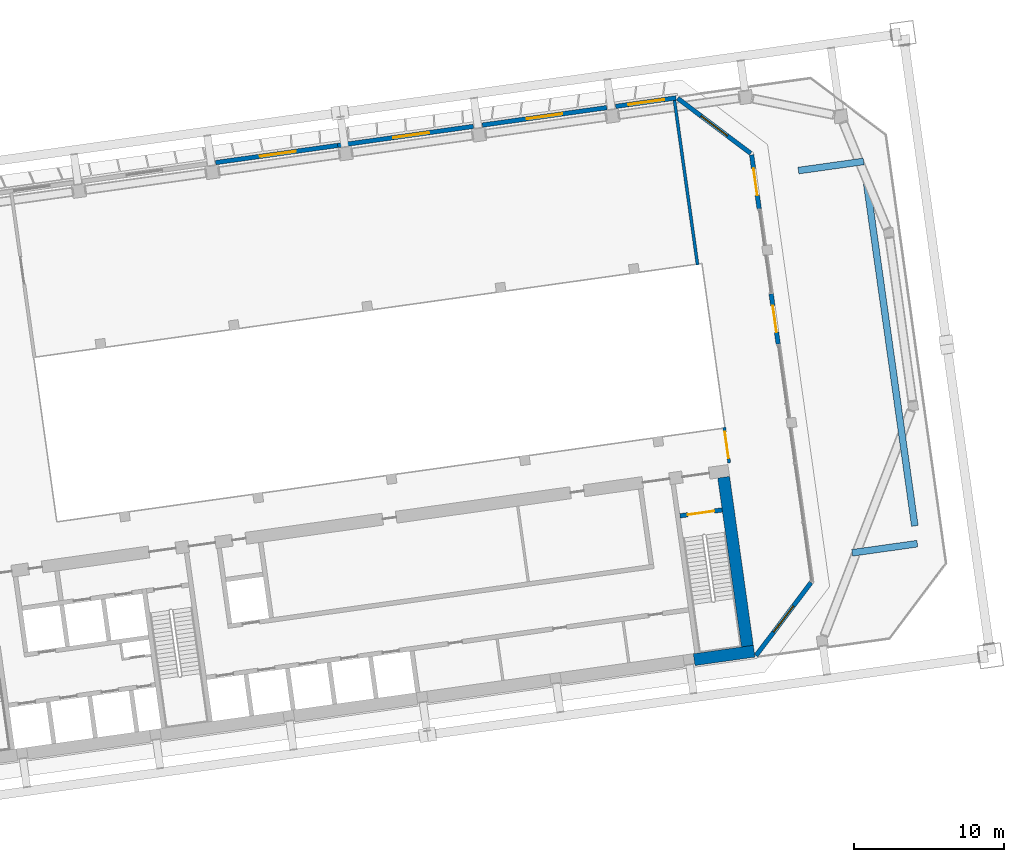
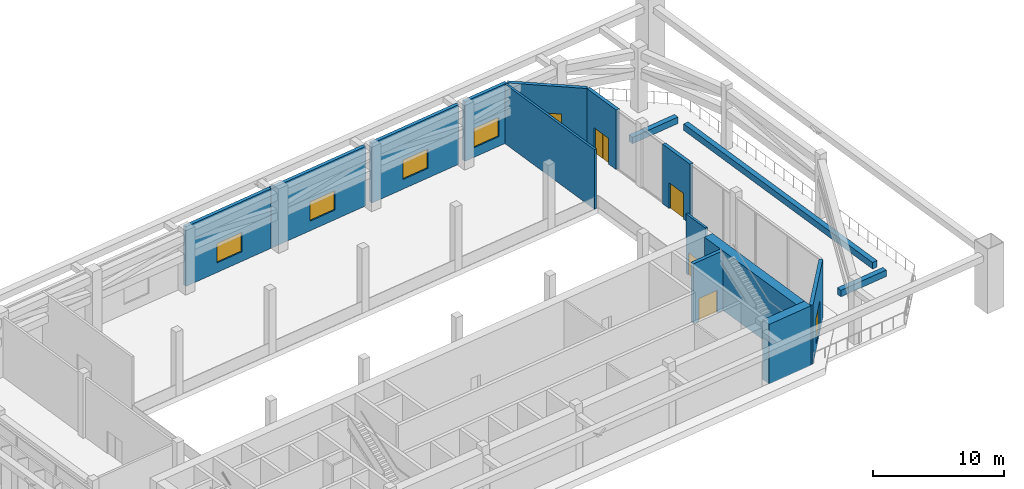
# One storey, part 25 of 41: 16 walls, 6 windows, 4 doors, 10 openings.
"""IFC4 building model written with IfcOpenShell, lengths in metres."""

from ifc_helpers import new_model, si_unit, direction, frame, frame_2d, origin, place, context, subcontext, project, spatial, rectangle, extrude, material, layer, layer_set, type_object, element, fill, save


model = new_model("IFC4")

# Units and contexts
model_context = context("Model", 3, precision=1e-05, world=origin(), true_north=direction((0.0, 1.0)))
body_context = subcontext(model_context, "Body", "Model", "MODEL_VIEW")
ifc_project = project(units=[si_unit("LENGTHUNIT", "METRE"), si_unit("AREAUNIT", "SQUARE_METRE"), si_unit("VOLUMEUNIT", "CUBIC_METRE"), si_unit("PLANEANGLEUNIT", "RADIAN"), si_unit("MASSUNIT", "GRAM", prefix="KILO")], contexts=[model_context])

# Site, building, storey
site_placement = place(None, origin())
site = spatial("IfcSite", under=ifc_project, at=site_placement, CompositionType="ELEMENT")
building_placement = place(site_placement, origin())
building = spatial("IfcBuilding", under=site, at=building_placement, Name="Mirante Cascada Hotel Towers", CompositionType="ELEMENT")
storey_placement = place(building_placement, frame((0.0, 0.0, 92.7)))
storey = spatial("IfcBuildingStorey", under=building, at=storey_placement, Name="L20", CompositionType="ELEMENT", Elevation=92.7)

# Walls
ifc_material_1 = material(Name="Precast concrete C40/50", Category="concrete")
ifc_layer_1 = layer(ifc_material_1, 0.45)
ifc_layer_set_1 = layer_set([ifc_layer_1], Name="Planter wall 450 concrete C40/50")
wall_type_1 = type_object("IfcWallType", Name="Planter wall 450 concrete C40/50", PredefinedType="PARAPET", material=ifc_layer_set_1)
for number, where, z_axis, x_axis, name in (
    (1, (96.955, -5.6169, 0.0), (0.0, 0.0, 1.0), (0.990267, 0.139181, 0.0), "PLANTER T2 L20 bed 1"),
    (2, (93.3643, 19.932, 0.0), (0.0, 0.0, 1.0), (0.990267, 0.139181, 0.0), "PLANTER T2 L20 bed 2"),
):
    element("IfcWall", number, at=place(storey_placement, frame(where, z_axis=z_axis, x_axis=x_axis)), inside=storey, type_object=wall_type_1, Name=name, PredefinedType="PARAPET", context=body_context, shape_type="SweptSolid", body=[
        extrude(rectangle(XDim=4.4, YDim=0.45, at=frame_2d((2.2, 0.0))), origin(), (0.0, 0.0, 1.0), 0.6),
    ])
wall_1_placement = place(storey_placement, frame((101.1451, -3.8162, 0.0), z_axis=(0.0, 0.0, 1.0), x_axis=(-0.1391708, 0.9902684, 0.0)))
element("IfcWall", 3, at=wall_1_placement, inside=storey, type_object=wall_type_1, Name="PLANTER T2 L20 bed 3", PredefinedType="PARAPET", context=body_context, shape_type="SweptSolid", body=[
    extrude(rectangle(XDim=23.4, YDim=0.45, at=frame_2d((11.7, 0.0))), origin(), (0.0, 0.0, 1.0), 0.6),
])

# Wall, opening, window
ifc_material_2 = material(Name="Precast concrete C40/50", Category="concrete")
ifc_layer_2 = layer(ifc_material_2, 0.3)
ifc_layer_set_2 = layer_set([ifc_layer_2], Name="Precast concrete C40/50 cladding wall 300")
wall_type_2 = type_object("IfcWallType", Name="Precast concrete C40/50 cladding wall 300", PredefinedType="STANDARD", material=ifc_layer_set_2)
wall_2_placement = place(storey_placement, frame((54.4109, 20.466, 0.0), z_axis=(0.0, 0.0, 1.0), x_axis=(0.9902687, 0.1391684, 0.0)))
wall_2 = element("IfcWall", 4, at=wall_2_placement, inside=storey, type_object=wall_type_2, Name="Cladding pier wall T2 L20 front 4", PredefinedType="STANDARD", context=body_context, shape_type="SweptSolid", body=[
    extrude(rectangle(XDim=8.2411, YDim=0.3, at=frame_2d((4.1206, 0.0))), origin(), (0.0, 0.0, 1.0), 5.55),
])
opening_1_placement = place(wall_2_placement, frame((3.0, 0.0, 0.9)))
opening_1 = element("IfcOpeningElement", 5, at=opening_1_placement, cuts=wall_2, Name="Opening W2-20-04", PredefinedType="OPENING", context=body_context, shape_type="SweptSolid", body=[
    extrude(rectangle(XDim=2.4, YDim=1.8, at=frame_2d((1.2, 0.9))), frame((0.0, 0.15, 0.0), z_axis=(0.0, -1.0, 0.0), x_axis=(1.0, 0.0, 0.0)), (0.0, 0.0, 1.0), 0.3),
])
ifc_material_3 = material(Name="Aluminium frame with clear double glazing", Category="aluminium")
window_type_1 = type_object("IfcWindowType", Name="Punched window 2400x1800", PartitioningType="DOUBLE_PANEL_VERTICAL", PredefinedType="WINDOW", material=ifc_material_3)
window_1_placement = place(opening_1_placement, origin())
window_1 = element("IfcWindow", 6, at=window_1_placement, inside=storey, type_object=window_type_1, Name="Window W2-20-04", OverallHeight=1.8, OverallWidth=2.4, PartitioningType="SINGLE_PANEL", PredefinedType="WINDOW", context=body_context, shape_type="SweptSolid", body=[
    extrude(rectangle(XDim=2.4, YDim=1.8, at=frame_2d((1.2, 0.9))), frame((0.0, 0.03, 0.0), z_axis=(0.0, -1.0, 0.0), x_axis=(1.0, 0.0, 0.0)), (0.0, 0.0, 1.0), 0.06),
])
fill(opening_1, window_1)

wall_3_placement = place(storey_placement, frame((62.5718, 21.6129, 0.0), z_axis=(0.0, 0.0, 1.0), x_axis=(0.9902677, 0.1391755, 0.0)))
wall_3 = element("IfcWall", 7, at=wall_3_placement, inside=storey, type_object=wall_type_2, Name="Cladding pier wall T2 L20 front 5", PredefinedType="STANDARD", context=body_context, shape_type="SweptSolid", body=[
    extrude(rectangle(XDim=9.1589, YDim=0.3, at=frame_2d((4.5794, 0.0))), origin(), (0.0, 0.0, 1.0), 5.55),
])
opening_2_placement = place(wall_3_placement, frame((3.7589, 0.0, 0.9)))
opening_2 = element("IfcOpeningElement", 8, at=opening_2_placement, cuts=wall_3, Name="Opening W2-20-05", PredefinedType="OPENING", context=body_context, shape_type="SweptSolid", body=[
    extrude(rectangle(XDim=2.4, YDim=1.8, at=frame_2d((1.2, 0.9))), frame((0.0, 0.15, 0.0), z_axis=(0.0, -1.0, 0.0), x_axis=(1.0, 0.0, 0.0)), (0.0, 0.0, 1.0), 0.3),
])
window_2_placement = place(opening_2_placement, origin())
window_2 = element("IfcWindow", 9, at=window_2_placement, inside=storey, type_object=window_type_1, Name="Window W2-20-05", OverallHeight=1.8, OverallWidth=2.4, PartitioningType="SINGLE_PANEL", PredefinedType="WINDOW", context=body_context, shape_type="SweptSolid", body=[
    extrude(rectangle(XDim=2.4, YDim=1.8, at=frame_2d((1.2, 0.9))), frame((0.0, 0.03, 0.0), z_axis=(0.0, -1.0, 0.0), x_axis=(1.0, 0.0, 0.0)), (0.0, 0.0, 1.0), 0.06),
])
fill(opening_2, window_2)

wall_4_placement = place(storey_placement, frame((72.2357, 22.9711, 0.0), z_axis=(0.0, 0.0, 1.0), x_axis=(0.9902691, 0.139166, 0.0)))
wall_4 = element("IfcWall", 10, at=wall_4_placement, inside=storey, type_object=wall_type_2, Name="Cladding pier wall T2 L20 front 6", PredefinedType="STANDARD", context=body_context, shape_type="SweptSolid", body=[
    extrude(rectangle(XDim=8.4, YDim=0.3, at=frame_2d((4.2, 0.0))), origin(), (0.0, 0.0, 1.0), 5.55),
])
opening_3_placement = place(wall_4_placement, frame((3.0, 0.0, 0.9)))
opening_3 = element("IfcOpeningElement", 11, at=opening_3_placement, cuts=wall_4, Name="Opening W2-20-06", PredefinedType="OPENING", context=body_context, shape_type="SweptSolid", body=[
    extrude(rectangle(XDim=2.4, YDim=1.8, at=frame_2d((1.2, 0.9))), frame((0.0, 0.15, 0.0), z_axis=(0.0, -1.0, 0.0), x_axis=(1.0, 0.0, 0.0)), (0.0, 0.0, 1.0), 0.3),
])
window_3_placement = place(opening_3_placement, origin())
window_3 = element("IfcWindow", 12, at=window_3_placement, inside=storey, type_object=window_type_1, Name="Window W2-20-06", OverallHeight=1.8, OverallWidth=2.4, PartitioningType="SINGLE_PANEL", PredefinedType="WINDOW", context=body_context, shape_type="SweptSolid", body=[
    extrude(rectangle(XDim=2.4, YDim=1.8, at=frame_2d((1.2, 0.9))), frame((0.0, 0.03, 0.0), z_axis=(0.0, -1.0, 0.0), x_axis=(1.0, 0.0, 0.0)), (0.0, 0.0, 1.0), 0.06),
])
fill(opening_3, window_3)

wall_5_placement = place(storey_placement, frame((81.1481, 24.2237, 0.0), z_axis=(0.0, 0.0, 1.0), x_axis=(0.9902698, 0.1391609, 0.0)))
wall_5 = element("IfcWall", 13, at=wall_5_placement, inside=storey, type_object=wall_type_2, Name="Cladding pier wall T2 L20 front 7", PredefinedType="STANDARD", context=body_context, shape_type="SweptSolid", body=[
    extrude(rectangle(XDim=4.0759, YDim=0.3, at=frame_2d((2.038, 0.0))), origin(), (0.0, 0.0, 1.0), 5.55),
])
opening_4_placement = place(wall_5_placement, frame((0.8689, 0.0, 0.9)))
opening_4 = element("IfcOpeningElement", 14, at=opening_4_placement, cuts=wall_5, Name="Opening W2-20-07", PredefinedType="OPENING", context=body_context, shape_type="SweptSolid", body=[
    extrude(rectangle(XDim=2.4, YDim=1.8, at=frame_2d((1.2, 0.9))), frame((0.0, 0.15, 0.0), z_axis=(0.0, -1.0, 0.0), x_axis=(1.0, 0.0, 0.0)), (0.0, 0.0, 1.0), 0.3),
])
window_4_placement = place(opening_4_placement, origin())
window_4 = element("IfcWindow", 15, at=window_4_placement, inside=storey, type_object=window_type_1, Name="Window W2-20-07", OverallHeight=1.8, OverallWidth=2.4, PartitioningType="SINGLE_PANEL", PredefinedType="WINDOW", context=body_context, shape_type="SweptSolid", body=[
    extrude(rectangle(XDim=2.4, YDim=1.8, at=frame_2d((1.2, 0.9))), frame((0.0, 0.03, 0.0), z_axis=(0.0, -1.0, 0.0), x_axis=(1.0, 0.0, 0.0)), (0.0, 0.0, 1.0), 0.06),
])
fill(opening_4, window_4)

wall_6_placement = place(storey_placement, frame((90.5299, -12.4841, 0.0), z_axis=(0.0, 0.0, 1.0), x_axis=(0.6018063, 0.7986421, 0.0)))
wall_6 = element("IfcWall", 16, at=wall_6_placement, inside=storey, type_object=wall_type_2, Name="Corner cladding wall T2 L20 rear outer", PredefinedType="STANDARD", context=body_context, shape_type="SweptSolid", body=[
    extrude(rectangle(XDim=6.1158, YDim=0.3, at=frame_2d((3.0579, 0.0))), origin(), (0.0, 0.0, 1.0), 5.55),
])
opening_5_placement = place(wall_6_placement, frame((1.9578, 0.0, 0.6)))
opening_5 = element("IfcOpeningElement", 17, at=opening_5_placement, cuts=wall_6, Name="Opening W2-20-08", PredefinedType="OPENING", context=body_context, shape_type="SweptSolid", body=[
    extrude(rectangle(XDim=2.2, YDim=2.4, at=frame_2d((1.1, 1.2))), frame((0.0, 0.15, 0.0), z_axis=(0.0, -1.0, 0.0), x_axis=(1.0, 0.0, 0.0)), (0.0, 0.0, 1.0), 0.3),
])
ifc_material_4 = material(Name="Aluminium frame with clear double glazing", Category="aluminium")
window_type_2 = type_object("IfcWindowType", Name="Corner suite window 2200x2400", PartitioningType="DOUBLE_PANEL_VERTICAL", PredefinedType="WINDOW", material=ifc_material_4)
window_5_placement = place(opening_5_placement, origin())
window_5 = element("IfcWindow", 18, at=window_5_placement, inside=storey, type_object=window_type_2, Name="Window W2-20-08", OverallHeight=2.4, OverallWidth=2.2, PartitioningType="SINGLE_PANEL", PredefinedType="WINDOW", context=body_context, shape_type="SweptSolid", body=[
    extrude(rectangle(XDim=2.2, YDim=2.4, at=frame_2d((1.1, 1.2))), frame((0.0, 0.03, 0.0), z_axis=(0.0, -1.0, 0.0), x_axis=(1.0, 0.0, 0.0)), (0.0, 0.0, 1.0), 0.06),
])
fill(opening_5, window_5)

wall_7_placement = place(storey_placement, frame((90.1793, 21.0818, 0.0), z_axis=(0.0, 0.0, 1.0), x_axis=(-0.7986341, 0.6018168, 0.0)))
wall_7 = element("IfcWall", 19, at=wall_7_placement, inside=storey, type_object=wall_type_2, Name="Corner cladding wall T2 L20 outer front", PredefinedType="STANDARD", context=body_context, shape_type="SweptSolid", body=[
    extrude(rectangle(XDim=6.1153, YDim=0.3, at=frame_2d((3.0577, 0.0))), origin(), (0.0, 0.0, 1.0), 5.55),
])
opening_6_placement = place(wall_7_placement, frame((1.9576, 0.0, 0.6)))
opening_6 = element("IfcOpeningElement", 20, at=opening_6_placement, cuts=wall_7, Name="Opening W2-20-09", PredefinedType="OPENING", context=body_context, shape_type="SweptSolid", body=[
    extrude(rectangle(XDim=2.2, YDim=2.4, at=frame_2d((1.1, 1.2))), frame((0.0, 0.15, 0.0), z_axis=(0.0, -1.0, 0.0), x_axis=(1.0, 0.0, 0.0)), (0.0, 0.0, 1.0), 0.3),
])
window_6_placement = place(opening_6_placement, origin())
window_6 = element("IfcWindow", 21, at=window_6_placement, inside=storey, type_object=window_type_2, Name="Window W2-20-09", OverallHeight=2.4, OverallWidth=2.2, PartitioningType="SINGLE_PANEL", PredefinedType="WINDOW", context=body_context, shape_type="SweptSolid", body=[
    extrude(rectangle(XDim=2.2, YDim=2.4, at=frame_2d((1.1, 1.2))), frame((0.0, 0.03, 0.0), z_axis=(0.0, -1.0, 0.0), x_axis=(1.0, 0.0, 0.0)), (0.0, 0.0, 1.0), 0.06),
])
fill(opening_6, window_6)

# Wall, opening, door
ifc_material_5 = material(Name="Precast concrete C40/50", Category="concrete")
ifc_layer_3 = layer(ifc_material_5, 0.3)
ifc_layer_set_3 = layer_set([ifc_layer_3], Name="Precast concrete C40/50 terrace wall 300")
wall_type_3 = type_object("IfcWallType", Name="Precast concrete C40/50 terrace wall 300", PredefinedType="STANDARD", material=ifc_layer_set_3)
wall_8_placement = place(storey_placement, frame((92.0157, 8.3315, 0.0), z_axis=(0.0, 0.0, 1.0), x_axis=(-0.1391769, 0.9902675, 0.0)))
wall_8 = element("IfcWall", 22, at=wall_8_placement, inside=storey, type_object=wall_type_3, Name="Lounge door pier wall T2 L20 2", PredefinedType="STANDARD", context=body_context, shape_type="SweptSolid", body=[
    extrude(rectangle(XDim=3.4, YDim=0.3, at=frame_2d((1.7, 0.0))), origin(), (0.0, 0.0, 1.0), 5.55),
])
opening_7_placement = place(wall_8_placement, frame((0.8, 0.0, 0.0)))
opening_7 = element("IfcOpeningElement", 23, at=opening_7_placement, cuts=wall_8, Name="Opening D2-20-91", PredefinedType="OPENING", context=body_context, shape_type="SweptSolid", body=[
    extrude(rectangle(XDim=1.8, YDim=2.4, at=frame_2d((0.9, 1.2))), frame((0.0, 0.15, 0.0), z_axis=(0.0, -1.0, 0.0), x_axis=(1.0, 0.0, 0.0)), (0.0, 0.0, 1.0), 0.3),
])
ifc_material_6 = material(Name="Aluminium frame with clear laminated glazing", Category="aluminium")
door_type_1 = type_object("IfcDoorType", Name="Terrace double door 1800x2400", OperationType="DOUBLE_DOOR_SINGLE_SWING", PredefinedType="DOOR", material=ifc_material_6)
door_1_placement = place(opening_7_placement, origin())
door_1 = element("IfcDoor", 24, at=door_1_placement, inside=storey, type_object=door_type_1, Name="Terrace door D2-20-91", OperationType="DOUBLE_DOOR_SINGLE_SWING", OverallHeight=2.4, OverallWidth=1.8, PredefinedType="DOOR", context=body_context, shape_type="SweptSolid", body=[
    extrude(rectangle(XDim=0.895, YDim=2.4, at=frame_2d((0.4475, 1.2))), frame((0.0, 0.025, 0.0), z_axis=(0.0, -1.0, 0.0), x_axis=(1.0, 0.0, 0.0)), (0.0, 0.0, 1.0), 0.05),
    extrude(rectangle(XDim=0.895, YDim=2.4, at=frame_2d((1.3525, 1.2))), frame((0.0, 0.025, 0.0), z_axis=(0.0, -1.0, 0.0), x_axis=(1.0, 0.0, 0.0)), (0.0, 0.0, 1.0), 0.05),
])
fill(opening_7, door_1)

wall_9_placement = place(storey_placement, frame((90.7439, 17.3804, 0.0), z_axis=(0.0, 0.0, 1.0), x_axis=(-0.1391735, 0.990268, 0.0)))
wall_9 = element("IfcWall", 25, at=wall_9_placement, inside=storey, type_object=wall_type_3, Name="Lounge door pier wall T2 L20 4", PredefinedType="STANDARD", context=body_context, shape_type="SweptSolid", body=[
    extrude(rectangle(XDim=3.6379, YDim=0.3, at=frame_2d((1.819, 0.0))), origin(), (0.0, 0.0, 1.0), 5.55),
])
opening_8_placement = place(wall_9_placement, frame((0.919, 0.0, 0.0)))
opening_8 = element("IfcOpeningElement", 26, at=opening_8_placement, cuts=wall_9, Name="Opening D2-20-92", PredefinedType="OPENING", context=body_context, shape_type="SweptSolid", body=[
    extrude(rectangle(XDim=1.8, YDim=2.4, at=frame_2d((0.9, 1.2))), frame((0.0, 0.15, 0.0), z_axis=(0.0, -1.0, 0.0), x_axis=(1.0, 0.0, 0.0)), (0.0, 0.0, 1.0), 0.3),
])
door_2_placement = place(opening_8_placement, origin())
door_2 = element("IfcDoor", 27, at=door_2_placement, inside=storey, type_object=door_type_1, Name="Terrace door D2-20-92", OperationType="DOUBLE_DOOR_SINGLE_SWING", OverallHeight=2.4, OverallWidth=1.8, PredefinedType="DOOR", context=body_context, shape_type="SweptSolid", body=[
    extrude(rectangle(XDim=0.895, YDim=2.4, at=frame_2d((0.4475, 1.2))), frame((0.0, 0.025, 0.0), z_axis=(0.0, -1.0, 0.0), x_axis=(1.0, 0.0, 0.0)), (0.0, 0.0, 1.0), 0.05),
    extrude(rectangle(XDim=0.895, YDim=2.4, at=frame_2d((1.3525, 1.2))), frame((0.0, 0.025, 0.0), z_axis=(0.0, -1.0, 0.0), x_axis=(1.0, 0.0, 0.0)), (0.0, 0.0, 1.0), 0.05),
])
fill(opening_8, door_2)

ifc_material_7 = material(Name="Concrete C50/60", Category="concrete")
ifc_layer_4 = layer(ifc_material_7, 0.3)
ifc_layer_set_4 = layer_set([ifc_layer_4], Name="RC core wall 300 C50/60")
wall_type_4 = type_object("IfcWallType", Name="RC core wall 300 C50/60", PredefinedType="SHEAR", material=ifc_layer_set_4)
wall_10_placement = place(storey_placement, frame((85.4489, -3.1441, 0.0), z_axis=(0.0, 0.0, 1.0), x_axis=(0.9902697, 0.1391613, 0.0)))
wall_10 = element("IfcWall", 28, at=wall_10_placement, inside=storey, type_object=wall_type_4, Name="Core wall T2:L20:11", PredefinedType="SHEAR", context=body_context, shape_type="SweptSolid", body=[
    extrude(rectangle(XDim=2.8499, YDim=0.3, at=frame_2d((1.425, 0.0))), origin(), (0.0, 0.0, 1.0), 5.55),
])
opening_9_placement = place(wall_10_placement, frame((0.525, 0.0, 0.0)))
opening_9 = element("IfcOpeningElement", 29, at=opening_9_placement, cuts=wall_10, Name="Opening D2-20-C17", PredefinedType="OPENING", context=body_context, shape_type="SweptSolid", body=[
    extrude(rectangle(XDim=1.8, YDim=2.1, at=frame_2d((0.9, 1.05))), frame((0.0, 0.15, 0.0), z_axis=(0.0, -1.0, 0.0), x_axis=(1.0, 0.0, 0.0)), (0.0, 0.0, 1.0), 0.3),
])
ifc_material_8 = material(Name="Hollow metal fire door leaf")
door_type_2 = type_object("IfcDoorType", Name="Double fire door 1800x2100 FD60", OperationType="DOUBLE_DOOR_SINGLE_SWING", PredefinedType="DOOR", material=ifc_material_8)
door_3_placement = place(opening_9_placement, frame((1.8, 0.0, 0.0), z_axis=(0.0, 0.0, 1.0), x_axis=(-1.0, 0.0, 0.0)))
door_3 = element("IfcDoor", 30, at=door_3_placement, inside=storey, type_object=door_type_2, Name="Stair door T2 L20 17", OperationType="DOUBLE_DOOR_SINGLE_SWING", OverallHeight=2.1, OverallWidth=1.8, PredefinedType="DOOR", context=body_context, shape_type="SweptSolid", body=[
    extrude(rectangle(XDim=0.895, YDim=2.1, at=frame_2d((0.4475, 1.05))), frame((0.0, 0.025, 0.0), z_axis=(0.0, -1.0, 0.0), x_axis=(1.0, 0.0, 0.0)), (0.0, 0.0, 1.0), 0.05),
    extrude(rectangle(XDim=0.895, YDim=2.1, at=frame_2d((1.3525, 1.05))), frame((0.0, 0.025, 0.0), z_axis=(0.0, -1.0, 0.0), x_axis=(1.0, 0.0, 0.0)), (0.0, 0.0, 1.0), 0.05),
])
fill(opening_9, door_3)

# Walls
ifc_material_9 = material(Name="Concrete C50/60", Category="concrete")
ifc_layer_5 = layer(ifc_material_9, 0.8)
ifc_layer_set_5 = layer_set([ifc_layer_5], Name="RC core wall 800 C50/60")
wall_type_5 = type_object("IfcWallType", Name="RC core wall 800 C50/60", PredefinedType="SHEAR", material=ifc_layer_set_5)
wall_11_placement = place(storey_placement, frame((86.3958, -12.7559, 0.0), z_axis=(0.0, 0.0, 1.0), x_axis=(0.9902665, 0.1391845, 0.0)))
element("IfcWall", 31, at=wall_11_placement, inside=storey, type_object=wall_type_5, Name="Core wall T2:L20:1.7", PredefinedType="SHEAR", context=body_context, shape_type="SweptSolid", body=[
    extrude(rectangle(XDim=4.05, YDim=0.8, at=frame_2d((2.025, 0.0))), origin(), (0.0, 0.0, 1.0), 5.55),
])
wall_12_placement = place(storey_placement, frame((89.9546, -11.8518, 0.0), z_axis=(0.0, 0.0, 1.0), x_axis=(-0.1391761, 0.9902677, 0.0)))
element("IfcWall", 32, at=wall_12_placement, inside=storey, type_object=wall_type_5, Name="Core wall T2:L20:4", PredefinedType="SHEAR", context=body_context, shape_type="SweptSolid", body=[
    extrude(rectangle(XDim=11.3999, YDim=0.8, at=frame_2d((5.7, 0.0))), origin(), (0.0, 0.0, 1.0), 5.55),
])
ifc_material_10 = material(Name="Masonry block", Category="masonry")
ifc_layer_6 = layer(ifc_material_10, 0.2)
ifc_layer_set_6 = layer_set([ifc_layer_6], Name="Refuge and plant wall 200 block EI 120")
wall_type_6 = type_object("IfcWallType", Name="Refuge and plant wall 200 block EI 120", PredefinedType="PARTITIONING", material=ifc_layer_set_6)
wall_13_placement = place(storey_placement, frame((86.6254, 13.6329, 0.0), z_axis=(0.0, 0.0, 1.0), x_axis=(-0.1391747, 0.9902678, 0.0)))
element("IfcWall", 33, at=wall_13_placement, inside=storey, type_object=wall_type_6, Name="Refuge floor wall T2 L20 S4", PredefinedType="PARTITIONING", context=body_context, shape_type="SweptSolid", body=[
    extrude(rectangle(XDim=11.15, YDim=0.2, at=frame_2d((5.575, 0.0))), origin(), (0.0, 0.0, 1.0), 5.55),
])

# Wall, opening, door
wall_14_placement = place(storey_placement, frame((88.7379, 0.3981, 0.0), z_axis=(0.0, 0.0, 1.0), x_axis=(-0.1391693, 0.9902686, 0.0)))
wall_14 = element("IfcWall", 34, at=wall_14_placement, inside=storey, type_object=wall_type_6, Name="Refuge floor wall T2 L20 S5", PredefinedType="PARTITIONING", context=body_context, shape_type="SweptSolid", body=[
    extrude(rectangle(XDim=2.4, YDim=0.2, at=frame_2d((1.2, 0.0))), origin(), (0.0, 0.0, 1.0), 5.55),
])
opening_10_placement = place(wall_14_placement, frame((0.3, 0.0, 0.0)))
opening_10 = element("IfcOpeningElement", 35, at=opening_10_placement, cuts=wall_14, Name="Opening D2-20-S04", PredefinedType="OPENING", context=body_context, shape_type="SweptSolid", body=[
    extrude(rectangle(XDim=1.8, YDim=2.1, at=frame_2d((0.9, 1.05))), frame((0.0, 0.1, 0.0), z_axis=(0.0, -1.0, 0.0), x_axis=(1.0, 0.0, 0.0)), (0.0, 0.0, 1.0), 0.2),
])
ifc_material_11 = material(Name="Hollow metal fire door leaf")
door_type_3 = type_object("IfcDoorType", Name="Refuge and plant double door 1800x2100 FD60", OperationType="DOUBLE_DOOR_SINGLE_SWING", PredefinedType="DOOR", material=ifc_material_11)
door_4_placement = place(opening_10_placement, frame((1.8, 0.0, 0.0), z_axis=(0.0, 0.0, 1.0), x_axis=(-1.0, 0.0, 0.0)))
door_4 = element("IfcDoor", 36, at=door_4_placement, inside=storey, type_object=door_type_3, Name="Fire door T2 L20 s4", OperationType="DOUBLE_DOOR_SINGLE_SWING", OverallHeight=2.1, OverallWidth=1.8, PredefinedType="DOOR", context=body_context, shape_type="SweptSolid", body=[
    extrude(rectangle(XDim=0.895, YDim=2.1, at=frame_2d((0.4475, 1.05))), frame((0.0, 0.025, 0.0), z_axis=(0.0, -1.0, 0.0), x_axis=(1.0, 0.0, 0.0)), (0.0, 0.0, 1.0), 0.05),
    extrude(rectangle(XDim=0.895, YDim=2.1, at=frame_2d((1.3525, 1.05))), frame((0.0, 0.025, 0.0), z_axis=(0.0, -1.0, 0.0), x_axis=(1.0, 0.0, 0.0)), (0.0, 0.0, 1.0), 0.05),
])
fill(opening_10, door_4)

save(model, "model.ifc")
